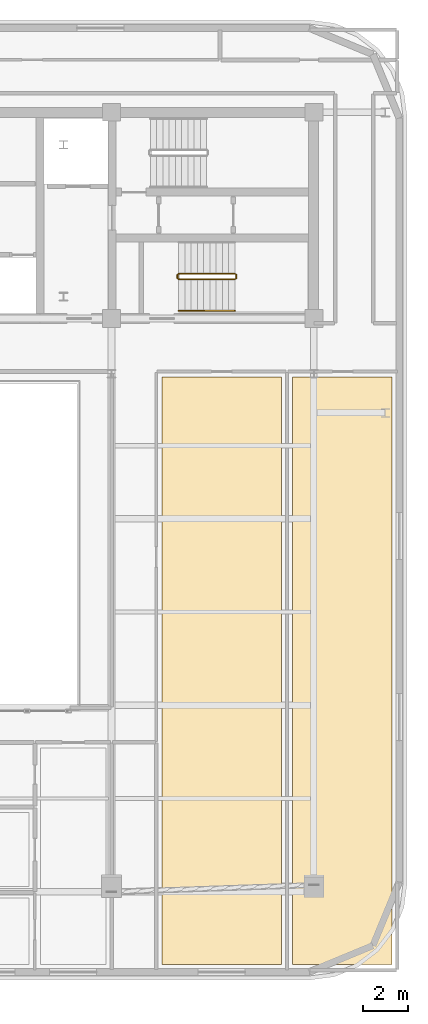
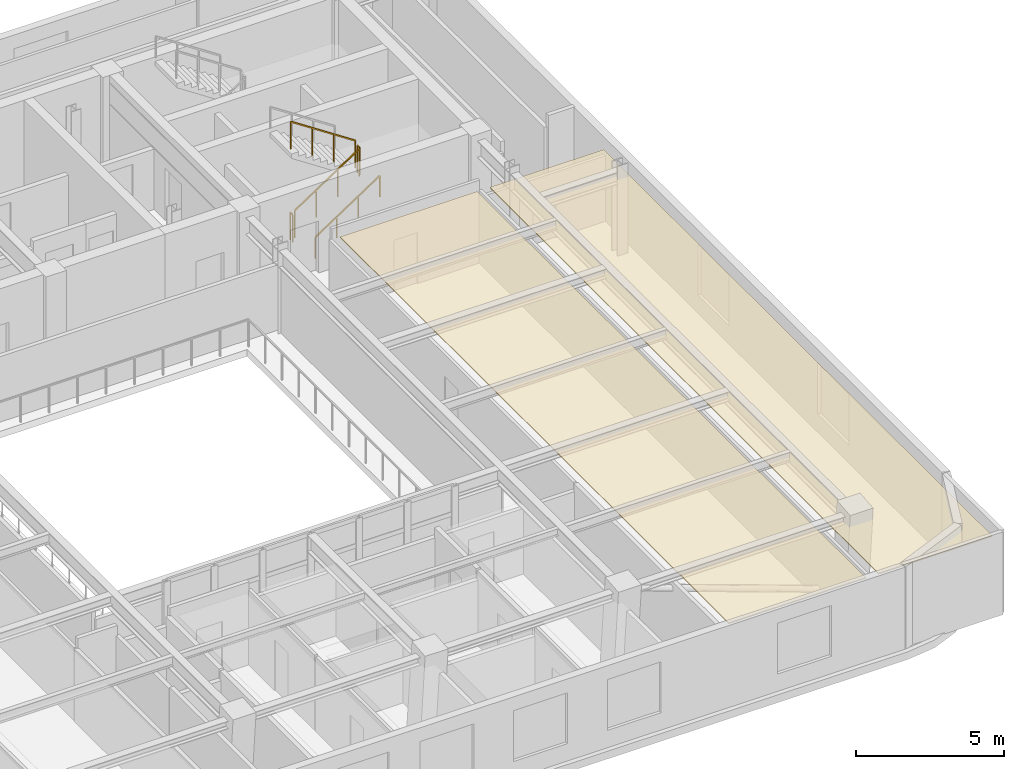
# One storey, part 10 of 11: 5 railings, 2 coverings.
"""IFC4 building model written with IfcOpenShell, lengths in metres."""

from ifc_helpers import new_model, si_unit, direction, frame, origin, origin_2d, place, context, subcontext, project, spatial, polyline, rectangle, outline, extrude, material, layer, layer_set, type_object, element, save


model = new_model("IFC4")

# Units and contexts
model_context = context("Model", 3, precision=1e-05, world=origin(), true_north=direction((0.0, 1.0)))
body_context = subcontext(model_context, "Body", "Model", "MODEL_VIEW")
ifc_project = project(units=[si_unit("LENGTHUNIT", "METRE"), si_unit("AREAUNIT", "SQUARE_METRE"), si_unit("VOLUMEUNIT", "CUBIC_METRE"), si_unit("PLANEANGLEUNIT", "RADIAN"), si_unit("MASSUNIT", "GRAM", prefix="KILO")], contexts=[model_context])

# Site, building, storey
site_placement = place(None, origin())
site = spatial("IfcSite", under=ifc_project, at=site_placement, CompositionType="ELEMENT")
building_placement = place(site_placement, origin())
building = spatial("IfcBuilding", under=site, at=building_placement, Name="Zarnavel Station Tower", CompositionType="ELEMENT")
storey_placement = place(building_placement, frame((0.0, 0.0, 262.10009765625)))
storey = spatial("IfcBuildingStorey", under=building, at=storey_placement, Name="L71", CompositionType="ELEMENT", Elevation=262.10009765625)

# Coverings
ifc_material_1 = material(Name="Perforated Gypsum and Mineral-Wool Acoustic Ceiling", Category="concrete")
ifc_layer = layer(ifc_material_1, 0.0400390625)
ifc_layer_set = layer_set([ifc_layer], Name="COV_CEIL_ACOUSTIC")
covering_type = type_object("IfcCoveringType", Name="COV_CEIL_ACOUSTIC", PredefinedType="CEILING", material=ifc_layer_set)
covering_1_placement = place(storey_placement, frame((0.0, 0.0, 3.099853515625)))
element("IfcCovering", 1, at=covering_1_placement, inside=storey, type_object=covering_type, Name="L71 L71SPA Acoustic Ceiling", PredefinedType="CEILING", context=body_context, shape_type="SweptSolid", body=[
    extrude(outline(polyline([(38.60009765625, -1.090087890625), (43.949951171875, -1.090087890625), (43.949951171875, 25.199951171875), (38.60009765625, 25.199951171875), (38.60009765625, -1.090087890625)])), origin(), (0.0, 0.0, 1.0), 0.0400390625),
])
covering_2_placement = place(storey_placement, frame((0.0, 0.0, 3.099853515625)))
element("IfcCovering", 2, at=covering_2_placement, inside=storey, type_object=covering_type, Name="L71 L71BAR Acoustic Ceiling", PredefinedType="CEILING", context=body_context, shape_type="SweptSolid", body=[
    extrude(outline(polyline([(44.449951171875, -1.090087890625), (48.889892578125, -1.090087890625), (48.889892578125, 25.199951171875), (44.449951171875, 25.199951171875), (44.449951171875, -1.090087890625)])), origin(), (0.0, 0.0, 1.0), 0.0400390625),
])

# Railings
ifc_material_2 = material(Name="Painted Steel S355J2 Balustrade", Category="steel")
railing_type_1 = type_object("IfcRailingType", Name="GR_INT_1150", PredefinedType="GUARDRAIL", material=ifc_material_2)
railing_1_placement = place(storey_placement, frame((39.35009765625, 29.570068359375, 0.184814453125)))
element("IfcRailing", 3, at=railing_1_placement, inside=storey, type_object=railing_type_1, Name="L71 ST3 stair guard 1", PredefinedType="GUARDRAIL", context=body_context, shape_type="SweptSolid", body=[
    extrude(rectangle(XDim=0.048095703125, YDim=0.048095703125, at=origin_2d()), frame((0.001708984375, 0.0, 1.126953125), z_axis=(0.834331337432, 0.0, 0.55126329406), x_axis=(0.0, 1.0, 0.0)), (0.0, 0.0, 1.0), 3.016357421875),
    extrude(rectangle(XDim=0.0419921875, YDim=0.0419921875, at=origin_2d()), origin(), (0.0, 0.0, 1.0), 1.101806640625),
    extrude(rectangle(XDim=0.0419921875, YDim=0.0419921875, at=origin_2d()), frame((0.840087890625, 0.0, 0.554931640625)), (0.0, 0.0, 1.0), 1.101806640625),
    extrude(rectangle(XDim=0.0419921875, YDim=0.0419921875, at=origin_2d()), frame((1.679931640625, 0.0, 1.110107421875)), (0.0, 0.0, 1.0), 1.101806640625),
    extrude(rectangle(XDim=0.0419921875, YDim=0.0419921875, at=origin_2d()), frame((2.52001953125, 0.0, 1.6650390625)), (0.0, 0.0, 1.0), 1.101806640625),
])
railing_2_placement = place(storey_placement, frame((41.919921875, 29.6201171875, 1.849853515625)))
element("IfcRailing", 4, at=railing_2_placement, inside=storey, type_object=railing_type_1, Name="L71 ST3 stair guard 2", PredefinedType="GUARDRAIL", context=body_context, shape_type="SweptSolid", body=[
    extrude(rectangle(XDim=0.048095703125, YDim=0.048095703125, at=origin_2d()), frame((0.0, 0.001953125, 1.1259765625), z_axis=(0.0, 1.0, 0.0), x_axis=(-1.0, 0.0, 0.0)), (0.0, 0.0, 1.0), 0.156005859375),
    extrude(rectangle(XDim=0.0419921875, YDim=0.0419921875, at=origin_2d()), origin(), (0.0, 0.0, 1.0), 1.101806640625),
    extrude(rectangle(XDim=0.0419921875, YDim=0.0419921875, at=origin_2d()), frame((0.0, 0.159912109375, 0.0)), (0.0, 0.0, 1.0), 1.101806640625),
])
railing_3_placement = place(storey_placement, frame((41.8701171875, 29.830078125, 2.034912109375)))
element("IfcRailing", 5, at=railing_3_placement, inside=storey, type_object=railing_type_1, Name="L71 ST3 stair guard 3", PredefinedType="GUARDRAIL", context=body_context, shape_type="SweptSolid", body=[
    extrude(rectangle(XDim=0.048095703125, YDim=0.048095703125, at=origin_2d()), frame((-0.001708984375, 0.0, 1.126953125), z_axis=(-0.834331337432, 0.0, 0.55126329406), x_axis=(0.0, -1.0, 0.0)), (0.0, 0.0, 1.0), 3.016357421875),
    extrude(rectangle(XDim=0.0419921875, YDim=0.0419921875, at=origin_2d()), origin(), (0.0, 0.0, 1.0), 1.101806640625),
    extrude(rectangle(XDim=0.0419921875, YDim=0.0419921875, at=origin_2d()), frame((-0.840087890625, 0.0, 0.554931640625)), (0.0, 0.0, 1.0), 1.101806640625),
    extrude(rectangle(XDim=0.0419921875, YDim=0.0419921875, at=origin_2d()), frame((-1.679931640625, 0.0, 1.110107421875)), (0.0, 0.0, 1.0), 1.101806640625),
    extrude(rectangle(XDim=0.0419921875, YDim=0.0419921875, at=origin_2d()), frame((-2.52001953125, 0.0, 1.6650390625)), (0.0, 0.0, 1.0), 1.101806640625),
])
railing_4_placement = place(storey_placement, frame((39.300048828125, 29.6201171875, 0.0)))
element("IfcRailing", 6, at=railing_4_placement, inside=storey, type_object=railing_type_1, Name="L71 ST3 stair guard 4", PredefinedType="GUARDRAIL", context=body_context, shape_type="SweptSolid", body=[
    extrude(rectangle(XDim=0.048095703125, YDim=0.048095703125, at=origin_2d()), frame((0.0, 0.001953125, 1.1259765625), z_axis=(0.0, 1.0, 0.0), x_axis=(-1.0, 0.0, 0.0)), (0.0, 0.0, 1.0), 0.156005859375),
    extrude(rectangle(XDim=0.0419921875, YDim=0.0419921875, at=origin_2d()), origin(), (0.0, 0.0, 1.0), 1.101806640625),
    extrude(rectangle(XDim=0.0419921875, YDim=0.0419921875, at=origin_2d()), frame((0.0, 0.159912109375, 0.0)), (0.0, 0.0, 1.0), 1.101806640625),
])
ifc_material_3 = material(Name="Brushed Stainless Steel S355J2 Handrail", Category="steel")
railing_type_2 = type_object("IfcRailingType", Name="HR_STAIR_900", PredefinedType="HANDRAIL", material=ifc_material_3)
railing_5_placement = place(storey_placement, frame((39.35009765625, 28.169921875, 0.184814453125)))
element("IfcRailing", 7, at=railing_5_placement, inside=storey, type_object=railing_type_2, Name="L71 ST3 stair handrail 1", PredefinedType="HANDRAIL", context=body_context, shape_type="SweptSolid", body=[
    extrude(rectangle(XDim=0.048095703125, YDim=0.048095703125, at=origin_2d()), frame((0.001708984375, 0.0, 0.876953125), z_axis=(0.834331337432, 0.0, 0.55126329406), x_axis=(0.0, 1.0, 0.0)), (0.0, 0.0, 1.0), 3.016357421875),
    extrude(rectangle(XDim=0.0419921875, YDim=0.0419921875, at=origin_2d()), origin(), (0.0, 0.0, 1.0), 0.851806640625),
    extrude(rectangle(XDim=0.0419921875, YDim=0.0419921875, at=origin_2d()), frame((0.840087890625, 0.0, 0.554931640625)), (0.0, 0.0, 1.0), 0.851806640625),
    extrude(rectangle(XDim=0.0419921875, YDim=0.0419921875, at=origin_2d()), frame((1.679931640625, 0.0, 1.110107421875)), (0.0, 0.0, 1.0), 0.851806640625),
    extrude(rectangle(XDim=0.0419921875, YDim=0.0419921875, at=origin_2d()), frame((2.52001953125, 0.0, 1.6650390625)), (0.0, 0.0, 1.0), 0.851806640625),
])

save(model, "model.ifc")
